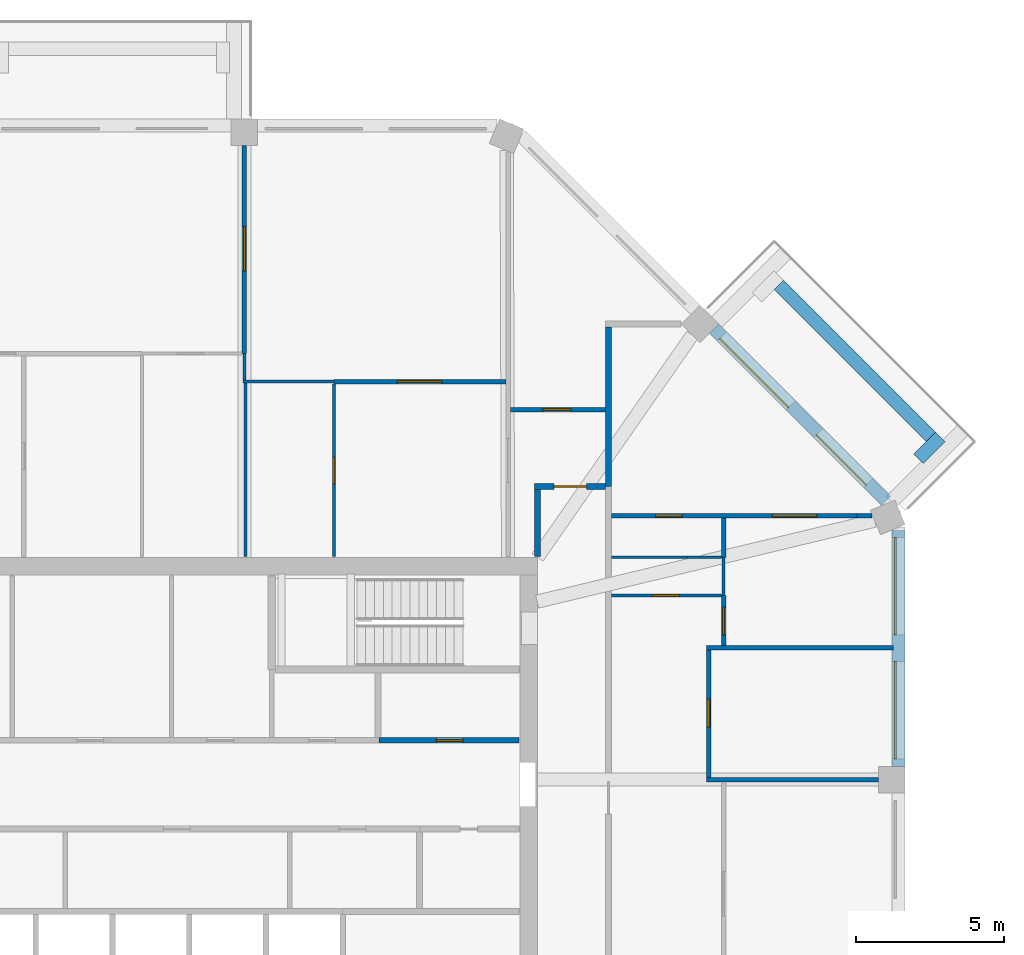
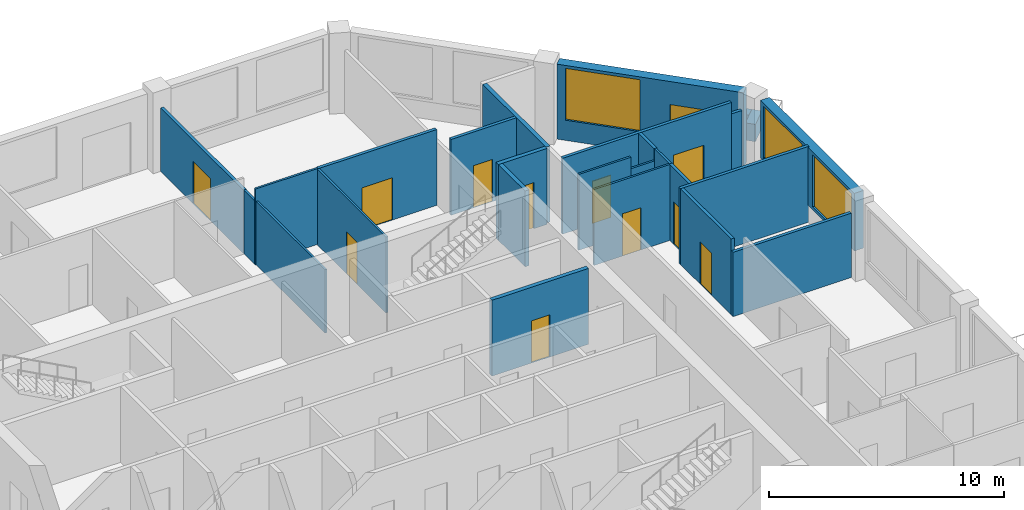
# One storey, part 9 of 11: 26 walls, 12 doors, 3 windows, 15 openings.
"""IFC4 building model written with IfcOpenShell, lengths in metres."""

from ifc_helpers import new_model, si_unit, direction, frame, frame_2d, origin, place, context, subcontext, project, spatial, rectangle, extrude, material, layer, layer_set, type_object, element, fill, save


model = new_model("IFC4")

# Units and contexts
model_context = context("Model", 3, precision=1e-05, world=origin(), true_north=direction((0.0, 1.0)))
body_context = subcontext(model_context, "Body", "Model", "MODEL_VIEW")
ifc_project = project(units=[si_unit("LENGTHUNIT", "METRE"), si_unit("AREAUNIT", "SQUARE_METRE"), si_unit("VOLUMEUNIT", "CUBIC_METRE"), si_unit("PLANEANGLEUNIT", "RADIAN"), si_unit("MASSUNIT", "GRAM", prefix="KILO")], contexts=[model_context])

# Site, building, storey
site_placement = place(None, origin())
site = spatial("IfcSite", under=ifc_project, at=site_placement, CompositionType="ELEMENT")
building_placement = place(site_placement, origin())
building = spatial("IfcBuilding", under=site, at=building_placement, Name="Msitu Wima Residences", CompositionType="ELEMENT")
storey_placement = place(building_placement, frame((0.0, 0.0, 293.699951171875)))
storey = spatial("IfcBuildingStorey", under=building, at=storey_placement, Name="L68", CompositionType="ELEMENT", Elevation=293.699951171875)

# Walls
ifc_material_1 = material(Name="Facing brick")
ifc_layer_1 = layer(ifc_material_1, 0.06494140625, Name="Facing brick")
ifc_material_2 = material(Name="Concrete C40/50", Category="concrete")
ifc_layer_2 = layer(ifc_material_2, 0.156005859375, Name="Concrete C40/50")
ifc_material_3 = material(Name="Waterproofing membrane")
ifc_layer_3 = layer(ifc_material_3, 0.00390625, Name="Waterproofing membrane")
ifc_material_4 = material(Name="Planting soil and planting")
ifc_layer_4 = layer(ifc_material_4, 0.22509765625, Name="Planting soil and planting")
ifc_layer_set_1 = layer_set([ifc_layer_1, ifc_layer_2, ifc_layer_3, ifc_layer_4], Name="Concrete C40/50")
wall_type_1 = type_object("IfcWallType", Name="Balcony planter PLANTER PL450", PredefinedType="USERDEFINED", material=ifc_layer_set_1)
wall_1_placement = place(storey_placement, frame((27.725830078125, 16.0751953125, 0.0), z_axis=(0.0, 0.0, 1.0), x_axis=(-0.707106781187, 0.707106781187, 0.0)))
element("IfcWall", 1, at=wall_1_placement, inside=storey, type_object=wall_type_1, Name="Balcony planter NE0 L68", ObjectType="PLANTER", PredefinedType="USERDEFINED", context=body_context, shape_type="SweptSolid", body=[
    extrude(rectangle(XDim=7.288330078125, YDim=0.449951171875, at=frame_2d((3.64404296875, 0.0))), origin(), (0.0, 0.0, 1.0), 0.900146484375),
])
wall_2_placement = place(storey_placement, frame((27.301513671875, 15.332763671875, 0.0), z_axis=(0.0, 0.0, 1.0), x_axis=(0.707106781187, 0.707106781187, 0.0)))
element("IfcWall", 2, at=wall_2_placement, inside=storey, type_object=wall_type_1, Name="Balcony planter NE0 L68", ObjectType="PLANTER", PredefinedType="USERDEFINED", context=body_context, shape_type="SweptSolid", body=[
    extrude(rectangle(XDim=1.050048828125, YDim=0.449951171875, at=frame_2d((0.52490234375, 0.0))), origin(), (0.0, 0.0, 1.0), 0.900146484375),
])

# Wall, openings, windows
ifc_material_5 = material(Name="Brick (red buff mix)", Category="masonry")
ifc_layer_5 = layer(ifc_material_5, 0.449951171875)
ifc_layer_set_2 = layer_set([ifc_layer_5], Name="Brick (red buff mix)")
wall_type_2 = type_object("IfcWallType", Name="Brick infill wall BW450", PredefinedType="SOLIDWALL", material=ifc_layer_set_2)
wall_3_placement = place(storey_placement, frame((26.625, 4.918701171875, 0.900146484375), z_axis=(0.0, 0.0, 1.0), x_axis=(0.0, 1.0, 0.0)))
wall_3 = element("IfcWall", 3, at=wall_3_placement, inside=storey, type_object=wall_type_2, Name="Brick infill wall L68 E2", PredefinedType="SOLIDWALL", context=body_context, shape_type="SweptSolid", body=[
    extrude(rectangle(XDim=8.0, YDim=0.449951171875, at=frame_2d((4.0, 0.0))), origin(), (0.0, 0.0, 1.0), 3.0),
])
opening_1_placement = place(wall_3_placement, frame((0.25, 0.0, 0.14990234375)))
opening_1 = element("IfcOpeningElement", 4, at=opening_1_placement, cuts=wall_3, Name="Opening W68-70.004", PredefinedType="OPENING", context=body_context, shape_type="SweptSolid", body=[
    extrude(rectangle(XDim=3.300048828125, YDim=2.699951171875, at=frame_2d((1.64990234375, 1.35009765625))), frame((0.0, 0.23486328125, 0.0), z_axis=(0.0, -1.0, 0.0), x_axis=(1.0, 0.0, 0.0)), (0.0, 0.0, 1.0), 0.469970703125),
])
opening_2_placement = place(wall_3_placement, frame((4.4501953125, 0.0, 0.14990234375)))
opening_2 = element("IfcOpeningElement", 5, at=opening_2_placement, cuts=wall_3, Name="Opening W68-70.005", PredefinedType="OPENING", context=body_context, shape_type="SweptSolid", body=[
    extrude(rectangle(XDim=3.300048828125, YDim=2.699951171875, at=frame_2d((1.64990234375, 1.35009765625))), frame((0.0, 0.23486328125, 0.0), z_axis=(0.0, -1.0, 0.0), x_axis=(1.0, 0.0, 0.0)), (0.0, 0.0, 1.0), 0.469970703125),
])
ifc_material_6 = material(Name="Anodised aluminium, bronze finish, clear low-emissivity double glazing", Category="aluminium")
window_type = type_object("IfcWindowType", Name="Window W3300x2700", PartitioningType="DOUBLE_PANEL_VERTICAL", PredefinedType="WINDOW", material=ifc_material_6)
window_1_placement = place(opening_1_placement, origin())
window_1 = element("IfcWindow", 6, at=window_1_placement, inside=storey, type_object=window_type, Name="Window L68 E2.1", OverallHeight=2.699951171875, OverallWidth=3.300048828125, PartitioningType="SINGLE_PANEL", PredefinedType="WINDOW", context=body_context, shape_type="SweptSolid", body=[
    extrude(rectangle(XDim=3.300048828125, YDim=2.699951171875, at=frame_2d((1.64990234375, 1.35009765625))), frame((0.0, 0.135009765625, 0.0), z_axis=(0.0, -1.0, 0.0), x_axis=(1.0, 0.0, 0.0)), (0.0, 0.0, 1.0), 0.06005859375),
])
fill(opening_1, window_1)
window_2_placement = place(opening_2_placement, origin())
window_2 = element("IfcWindow", 7, at=window_2_placement, inside=storey, type_object=window_type, Name="Window L68 E2.2", OverallHeight=2.699951171875, OverallWidth=3.300048828125, PartitioningType="SINGLE_PANEL", PredefinedType="WINDOW", context=body_context, shape_type="SweptSolid", body=[
    extrude(rectangle(XDim=3.300048828125, YDim=2.699951171875, at=frame_2d((1.64990234375, 1.35009765625))), frame((0.0, 0.135009765625, 0.0), z_axis=(0.0, -1.0, 0.0), x_axis=(1.0, 0.0, 0.0)), (0.0, 0.0, 1.0), 0.06005859375),
])
fill(opening_2, window_2)

# Wall, openings, door, window
wall_4_placement = place(storey_placement, frame((26.214599609375, 13.909423828125, 0.0), z_axis=(0.0, 0.0, 1.0), x_axis=(-0.707106781187, 0.707106781187, 0.0)))
wall_4 = element("IfcWall", 8, at=wall_4_placement, inside=storey, type_object=wall_type_2, Name="Brick infill wall L68 NE0", PredefinedType="SOLIDWALL", context=body_context, shape_type="SweptSolid", body=[
    extrude(rectangle(XDim=8.251220703125, YDim=0.449951171875, at=frame_2d((4.12548828125, 0.0))), origin(), (0.0, 0.0, 1.0), 3.900146484375),
])
opening_3_placement = place(wall_4_placement, frame((0.86279296875, 0.0, 0.0)))
opening_3 = element("IfcOpeningElement", 9, at=opening_3_placement, cuts=wall_4, Name="Opening D68-70.003", PredefinedType="OPENING", context=body_context, shape_type="SweptSolid", body=[
    extrude(rectangle(XDim=2.39990234375, YDim=2.699951171875, at=frame_2d((1.199951171875, 1.35009765625))), frame((0.0, 0.23486328125, 0.0), z_axis=(0.0, -1.0, 0.0), x_axis=(1.0, 0.0, 0.0)), (0.0, 0.0, 1.0), 0.469970703125),
])
opening_4_placement = place(wall_4_placement, frame((4.57568359375, 0.0, 1.050048828125)))
opening_4 = element("IfcOpeningElement", 10, at=opening_4_placement, cuts=wall_4, Name="Opening W68-70.011", PredefinedType="OPENING", context=body_context, shape_type="SweptSolid", body=[
    extrude(rectangle(XDim=3.300048828125, YDim=2.699951171875, at=frame_2d((1.64990234375, 1.35009765625))), frame((0.0, 0.23486328125, 0.0), z_axis=(0.0, -1.0, 0.0), x_axis=(1.0, 0.0, 0.0)), (0.0, 0.0, 1.0), 0.469970703125),
])
door_type_1 = type_object("IfcDoorType", Name="Balcony door D2400x2700", OperationType="SLIDING_TO_LEFT", PredefinedType="DOOR", material=ifc_material_6)
door_1_placement = place(opening_3_placement, origin())
door_1 = element("IfcDoor", 11, at=door_1_placement, inside=storey, type_object=door_type_1, Name="Balcony door L68 NE0", OperationType="SINGLE_SWING_LEFT", OverallHeight=2.699951171875, OverallWidth=2.39990234375, PredefinedType="DOOR", context=body_context, shape_type="SweptSolid", body=[
    extrude(rectangle(XDim=2.39990234375, YDim=2.699951171875, at=frame_2d((1.199951171875, 1.35009765625))), frame((0.0, 0.1298828125, 0.0), z_axis=(0.0, -1.0, 0.0), x_axis=(1.0, 0.0, 0.0)), (0.0, 0.0, 1.0), 0.050048828125),
])
fill(opening_3, door_1)
window_3_placement = place(opening_4_placement, origin())
window_3 = element("IfcWindow", 12, at=window_3_placement, inside=storey, type_object=window_type, Name="Window L68 NE0.2", OverallHeight=2.699951171875, OverallWidth=3.300048828125, PartitioningType="SINGLE_PANEL", PredefinedType="WINDOW", context=body_context, shape_type="SweptSolid", body=[
    extrude(rectangle(XDim=3.300048828125, YDim=2.699951171875, at=frame_2d((1.64990234375, 1.35009765625))), frame((0.0, 0.135009765625, 0.0), z_axis=(0.0, -1.0, 0.0), x_axis=(1.0, 0.0, 0.0)), (0.0, 0.0, 1.0), 0.06005859375),
])
fill(opening_4, window_3)

# Wall
ifc_material_7 = material(Name="Plaster")
ifc_layer_6 = layer(ifc_material_7, 0.011962890625, Name="Plaster")
ifc_material_8 = material(Name="Concrete blockwork", Category="masonry")
ifc_layer_7 = layer(ifc_material_8, 0.176025390625, Name="Concrete blockwork")
ifc_layer_8 = layer(ifc_material_7, 0.011962890625, Name="Plaster")
ifc_layer_set_3 = layer_set([ifc_layer_6, ifc_layer_7, ifc_layer_8], Name="Concrete blockwork")
wall_type_3 = type_object("IfcWallType", Name="Corridor wall FW200", PredefinedType="PARTITIONING", material=ifc_layer_set_3)
wall_5_placement = place(storey_placement, frame((14.39990234375, 12.030029296875, 0.0), z_axis=(0.0, 0.0, 1.0), x_axis=(0.0, 1.0, 0.0)))
element("IfcWall", 13, at=wall_5_placement, inside=storey, type_object=wall_type_3, Name="Corridor wall", PredefinedType="PARTITIONING", context=body_context, shape_type="SweptSolid", body=[
    extrude(rectangle(XDim=2.27001953125, YDim=0.199951171875, at=frame_2d((1.135009765625, 0.0))), origin(), (0.0, 0.0, 1.0), 3.949951171875),
])

# Wall, opening, door
wall_6_placement = place(storey_placement, frame((14.300048828125, 14.39990234375, 0.0), z_axis=(0.0, 0.0, 1.0), x_axis=(1.0, 0.0, 0.0)))
wall_6 = element("IfcWall", 14, at=wall_6_placement, inside=storey, type_object=wall_type_3, Name="Corridor wall", PredefinedType="PARTITIONING", context=body_context, shape_type="SweptSolid", body=[
    extrude(rectangle(XDim=2.39990234375, YDim=0.199951171875, at=frame_2d((1.199951171875, 0.0))), origin(), (0.0, 0.0, 1.0), 3.949951171875),
])
opening_5_placement = place(wall_6_placement, frame((0.64990234375, 0.0, 0.0)))
opening_5 = element("IfcOpeningElement", 15, at=opening_5_placement, cuts=wall_6, Name="Opening D68-70.021", PredefinedType="OPENING", context=body_context, shape_type="SweptSolid", body=[
    extrude(rectangle(XDim=1.10009765625, YDim=2.39990234375, at=frame_2d((0.550048828125, 1.199951171875))), frame((0.0, 0.10986328125, 0.0), z_axis=(0.0, -1.0, 0.0), x_axis=(1.0, 0.0, 0.0)), (0.0, 0.0, 1.0), 0.219970703125),
])
ifc_material_9 = material(Name="Timber flush door, fire resisting, self-closing", Category="wood")
door_type_2 = type_object("IfcDoorType", Name="Flat entrance door D01 1100x2400", OperationType="SINGLE_SWING_LEFT", PredefinedType="DOOR", material=ifc_material_9)
door_2_placement = place(opening_5_placement, origin())
door_2 = element("IfcDoor", 16, at=door_2_placement, inside=storey, type_object=door_type_2, Name="Flat entrance door", OperationType="SINGLE_SWING_RIGHT", OverallHeight=2.39990234375, OverallWidth=1.10009765625, PredefinedType="DOOR", context=body_context, shape_type="SweptSolid", body=[
    extrude(rectangle(XDim=1.10009765625, YDim=2.39990234375, at=frame_2d((0.550048828125, 1.199951171875))), frame((0.0, 0.02490234375, 0.0), z_axis=(0.0, -1.0, 0.0), x_axis=(1.0, 0.0, 0.0)), (0.0, 0.0, 1.0), 0.050048828125),
])
fill(opening_5, door_2)

ifc_layer_9 = layer(ifc_material_7, 0.011962890625, Name="Plaster")
ifc_layer_10 = layer(ifc_material_8, 0.1259765625, Name="Concrete blockwork")
ifc_layer_11 = layer(ifc_material_7, 0.011962890625, Name="Plaster")
ifc_layer_set_4 = layer_set([ifc_layer_9, ifc_layer_10, ifc_layer_11], Name="Concrete blockwork")
wall_type_4 = type_object("IfcWallType", Name="Partition PW150", PredefinedType="PARTITIONING", material=ifc_layer_set_4)
wall_7_placement = place(storey_placement, frame((4.46875, 18.89990234375, 0.0), z_axis=(0.0, 0.0, 1.0), x_axis=(0.0, 1.0, 0.0)))
wall_7 = element("IfcWall", 17, at=wall_7_placement, inside=storey, type_object=wall_type_4, Name="Partition", PredefinedType="PARTITIONING", context=body_context, shape_type="SweptSolid", body=[
    extrude(rectangle(XDim=7.050048828125, YDim=0.14990234375, at=frame_2d((3.52490234375, 0.0))), origin(), (0.0, 0.0, 1.0), 3.300048828125),
])
opening_6_placement = place(wall_7_placement, frame((2.800048828125, 0.0, 0.0)))
opening_6 = element("IfcOpeningElement", 18, at=opening_6_placement, cuts=wall_7, Name="Opening D68-70.029", PredefinedType="OPENING", context=body_context, shape_type="SweptSolid", body=[
    extrude(rectangle(XDim=1.5, YDim=2.199951171875, at=frame_2d((0.75, 1.10009765625))), frame((0.0, 0.0849609375, 0.0), z_axis=(0.0, -1.0, 0.0), x_axis=(1.0, 0.0, 0.0)), (0.0, 0.0, 1.0), 0.169921875),
])
ifc_material_10 = material(Name="Timber double door", Category="wood")
door_type_3 = type_object("IfcDoorType", Name="Double door D04 1500x2200", OperationType="DOUBLE_DOOR_SINGLE_SWING", PredefinedType="DOOR", material=ifc_material_10)
door_3_placement = place(opening_6_placement, origin())
door_3 = element("IfcDoor", 19, at=door_3_placement, inside=storey, type_object=door_type_3, Name="Double door", OperationType="DOUBLE_DOOR_SINGLE_SWING", OverallHeight=2.199951171875, OverallWidth=1.5, PredefinedType="DOOR", context=body_context, shape_type="SweptSolid", body=[
    extrude(rectangle(XDim=1.5, YDim=2.199951171875, at=frame_2d((0.75, 1.10009765625))), frame((0.0, 0.02490234375, 0.0), z_axis=(0.0, -1.0, 0.0), x_axis=(1.0, 0.0, 0.0)), (0.0, 0.0, 1.0), 0.050048828125),
])
fill(opening_6, door_3)

wall_8_placement = place(storey_placement, frame((7.5, 17.949951171875, 0.0), z_axis=(0.0, 0.0, 1.0), x_axis=(1.0, 0.0, 0.0)))
wall_8 = element("IfcWall", 20, at=wall_8_placement, inside=storey, type_object=wall_type_4, Name="Partition", PredefinedType="PARTITIONING", context=body_context, shape_type="SweptSolid", body=[
    extrude(rectangle(XDim=5.830810546875, YDim=0.14990234375, at=frame_2d((2.91552734375, 0.0))), origin(), (0.0, 0.0, 1.0), 3.949951171875),
])
opening_7_placement = place(wall_8_placement, frame((2.14990234375, 0.0, 0.0)))
opening_7 = element("IfcOpeningElement", 21, at=opening_7_placement, cuts=wall_8, Name="Opening D68-70.026", PredefinedType="OPENING", context=body_context, shape_type="SweptSolid", body=[
    extrude(rectangle(XDim=1.5, YDim=2.199951171875, at=frame_2d((0.75, 1.10009765625))), frame((0.0, 0.0849609375, 0.0), z_axis=(0.0, -1.0, 0.0), x_axis=(1.0, 0.0, 0.0)), (0.0, 0.0, 1.0), 0.169921875),
])
door_4_placement = place(opening_7_placement, origin())
door_4 = element("IfcDoor", 22, at=door_4_placement, inside=storey, type_object=door_type_3, Name="Double door", OperationType="DOUBLE_DOOR_SINGLE_SWING", OverallHeight=2.199951171875, OverallWidth=1.5, PredefinedType="DOOR", context=body_context, shape_type="SweptSolid", body=[
    extrude(rectangle(XDim=1.5, YDim=2.199951171875, at=frame_2d((0.75, 1.10009765625))), frame((0.0, 0.02490234375, 0.0), z_axis=(0.0, -1.0, 0.0), x_axis=(1.0, 0.0, 0.0)), (0.0, 0.0, 1.0), 0.050048828125),
])
fill(opening_7, door_4)

wall_9_placement = place(storey_placement, frame((13.48095703125, 17.0, 0.0), z_axis=(0.0, 0.0, 1.0), x_axis=(1.0, 0.0, 0.0)))
wall_9 = element("IfcWall", 23, at=wall_9_placement, inside=storey, type_object=wall_type_4, Name="Partition", PredefinedType="PARTITIONING", context=body_context, shape_type="SweptSolid", body=[
    extrude(rectangle(XDim=3.218994140625, YDim=0.14990234375, at=frame_2d((1.609375, 0.0))), origin(), (0.0, 0.0, 1.0), 3.949951171875),
])
opening_8_placement = place(wall_9_placement, frame((1.10009765625, 0.0, 0.0)))
opening_8 = element("IfcOpeningElement", 24, at=opening_8_placement, cuts=wall_9, Name="Opening D68-70.027", PredefinedType="OPENING", context=body_context, shape_type="SweptSolid", body=[
    extrude(rectangle(XDim=0.949951171875, YDim=2.199951171875, at=frame_2d((0.47509765625, 1.10009765625))), frame((0.0, 0.0849609375, 0.0), z_axis=(0.0, -1.0, 0.0), x_axis=(1.0, 0.0, 0.0)), (0.0, 0.0, 1.0), 0.169921875),
])
ifc_material_11 = material(Name="Timber flush door", Category="wood")
door_type_4 = type_object("IfcDoorType", Name="Room door D12 950x2200", OperationType="SINGLE_SWING_LEFT", PredefinedType="DOOR", material=ifc_material_11)
door_5_placement = place(opening_8_placement, origin())
door_5 = element("IfcDoor", 25, at=door_5_placement, inside=storey, type_object=door_type_4, Name="Room door", OperationType="SINGLE_SWING_LEFT", OverallHeight=2.199951171875, OverallWidth=0.949951171875, PredefinedType="DOOR", context=body_context, shape_type="SweptSolid", body=[
    extrude(rectangle(XDim=0.949951171875, YDim=2.199951171875, at=frame_2d((0.47509765625, 1.10009765625))), frame((0.0, 0.02490234375, 0.0), z_axis=(0.0, -1.0, 0.0), x_axis=(1.0, 0.0, 0.0)), (0.0, 0.0, 1.0), 0.050048828125),
])
fill(opening_8, door_5)

# Wall, openings, doors
wall_10_placement = place(storey_placement, frame((16.89990234375, 13.406005859375, 0.0), z_axis=(0.0, 0.0, 1.0), x_axis=(1.0, 0.0, 0.0)))
wall_10 = element("IfcWall", 26, at=wall_10_placement, inside=storey, type_object=wall_type_4, Name="Partition", PredefinedType="PARTITIONING", context=body_context, shape_type="SweptSolid", body=[
    extrude(rectangle(XDim=8.32421875, YDim=0.14990234375, at=frame_2d((4.162109375, 0.0))), origin(), (0.0, 0.0, 1.0), 3.949951171875),
])
opening_9_placement = place(wall_10_placement, frame((5.449951171875, 0.0, 0.0)))
opening_9 = element("IfcOpeningElement", 27, at=opening_9_placement, cuts=wall_10, Name="Opening D68-70.017", PredefinedType="OPENING", context=body_context, shape_type="SweptSolid", body=[
    extrude(rectangle(XDim=1.5, YDim=2.199951171875, at=frame_2d((0.75, 1.10009765625))), frame((0.0, 0.0849609375, 0.0), z_axis=(0.0, -1.0, 0.0), x_axis=(1.0, 0.0, 0.0)), (0.0, 0.0, 1.0), 0.169921875),
])
opening_10_placement = place(wall_10_placement, frame((1.5, 0.0, 0.0)))
opening_10 = element("IfcOpeningElement", 28, at=opening_10_placement, cuts=wall_10, Name="Opening D68-70.019", PredefinedType="OPENING", context=body_context, shape_type="SweptSolid", body=[
    extrude(rectangle(XDim=0.89990234375, YDim=2.199951171875, at=frame_2d((0.449951171875, 1.10009765625))), frame((0.0, 0.0849609375, 0.0), z_axis=(0.0, -1.0, 0.0), x_axis=(1.0, 0.0, 0.0)), (0.0, 0.0, 1.0), 0.169921875),
])
door_6_placement = place(opening_9_placement, origin())
door_6 = element("IfcDoor", 29, at=door_6_placement, inside=storey, type_object=door_type_3, Name="Double door", OperationType="DOUBLE_DOOR_SINGLE_SWING", OverallHeight=2.199951171875, OverallWidth=1.5, PredefinedType="DOOR", context=body_context, shape_type="SweptSolid", body=[
    extrude(rectangle(XDim=1.5, YDim=2.199951171875, at=frame_2d((0.75, 1.10009765625))), frame((0.0, 0.02490234375, 0.0), z_axis=(0.0, -1.0, 0.0), x_axis=(1.0, 0.0, 0.0)), (0.0, 0.0, 1.0), 0.050048828125),
])
fill(opening_9, door_6)
door_type_5 = type_object("IfcDoorType", Name="Service door D05 900x2200", OperationType="SINGLE_SWING_LEFT", PredefinedType="DOOR", material=ifc_material_11)
door_7_placement = place(opening_10_placement, origin())
door_7 = element("IfcDoor", 30, at=door_7_placement, inside=storey, type_object=door_type_5, Name="Service door", OperationType="SINGLE_SWING_LEFT", OverallHeight=2.199951171875, OverallWidth=0.89990234375, PredefinedType="DOOR", context=body_context, shape_type="SweptSolid", body=[
    extrude(rectangle(XDim=0.89990234375, YDim=2.199951171875, at=frame_2d((0.449951171875, 1.10009765625))), frame((0.0, 0.02490234375, 0.0), z_axis=(0.0, -1.0, 0.0), x_axis=(1.0, 0.0, 0.0)), (0.0, 0.0, 1.0), 0.050048828125),
])
fill(opening_10, door_7)

# Wall
wall_11_placement = place(storey_placement, frame((25.22412109375, 13.406005859375, 0.0), z_axis=(0.0, 0.0, 1.0), x_axis=(1.0, 0.0, 0.0)))
element("IfcWall", 31, at=wall_11_placement, inside=storey, type_object=wall_type_4, Name="Partition", PredefinedType="PARTITIONING", context=body_context, shape_type="SweptSolid", body=[
    extrude(rectangle(XDim=0.507080078125, YDim=0.14990234375, at=frame_2d((0.25341796875, 0.0))), origin(), (0.0, 0.0, 1.0), 3.35009765625),
])

# Wall, opening, door
wall_12_placement = place(storey_placement, frame((20.199951171875, 4.543701171875, 0.0), z_axis=(0.0, 0.0, 1.0), x_axis=(0.0, 1.0, 0.0)))
wall_12 = element("IfcWall", 32, at=wall_12_placement, inside=storey, type_object=wall_type_4, Name="Partition", PredefinedType="PARTITIONING", context=body_context, shape_type="SweptSolid", body=[
    extrude(rectangle(XDim=4.318603515625, YDim=0.14990234375, at=frame_2d((2.1591796875, 0.0))), origin(), (0.0, 0.0, 1.0), 3.949951171875),
])
opening_11_placement = place(wall_12_placement, frame((1.699951171875, 0.0, 0.0)))
opening_11 = element("IfcOpeningElement", 33, at=opening_11_placement, cuts=wall_12, Name="Opening D68-70.015", PredefinedType="OPENING", context=body_context, shape_type="SweptSolid", body=[
    extrude(rectangle(XDim=0.949951171875, YDim=2.199951171875, at=frame_2d((0.47509765625, 1.10009765625))), frame((0.0, 0.0849609375, 0.0), z_axis=(0.0, -1.0, 0.0), x_axis=(1.0, 0.0, 0.0)), (0.0, 0.0, 1.0), 0.169921875),
])
door_8_placement = place(opening_11_placement, origin())
door_8 = element("IfcDoor", 34, at=door_8_placement, inside=storey, type_object=door_type_4, Name="Room door", OperationType="SINGLE_SWING_LEFT", OverallHeight=2.199951171875, OverallWidth=0.949951171875, PredefinedType="DOOR", context=body_context, shape_type="SweptSolid", body=[
    extrude(rectangle(XDim=0.949951171875, YDim=2.199951171875, at=frame_2d((0.47509765625, 1.10009765625))), frame((0.0, 0.02490234375, 0.0), z_axis=(0.0, -1.0, 0.0), x_axis=(1.0, 0.0, 0.0)), (0.0, 0.0, 1.0), 0.050048828125),
])
fill(opening_11, door_8)

# Walls
wall_13_placement = place(storey_placement, frame((20.125, 4.46875, 0.0), z_axis=(0.0, 0.0, 1.0), x_axis=(1.0, 0.0, 0.0)))
element("IfcWall", 35, at=wall_13_placement, inside=storey, type_object=wall_type_4, Name="Partition", PredefinedType="PARTITIONING", context=body_context, shape_type="SweptSolid", body=[
    extrude(rectangle(XDim=5.824951171875, YDim=0.14990234375, at=frame_2d((2.91259765625, 0.0))), origin(), (0.0, 0.0, 1.0), 3.35009765625),
])
wall_14_placement = place(storey_placement, frame((20.125, 8.937255859375, 0.0), z_axis=(0.0, 0.0, 1.0), x_axis=(1.0, 0.0, 0.0)))
element("IfcWall", 36, at=wall_14_placement, inside=storey, type_object=wall_type_4, Name="Partition", PredefinedType="PARTITIONING", context=body_context, shape_type="SweptSolid", body=[
    extrude(rectangle(XDim=6.330078125, YDim=0.14990234375, at=frame_2d((3.1650390625, 0.0))), origin(), (0.0, 0.0, 1.0), 3.949951171875),
])

# Wall, opening, door
wall_15_placement = place(storey_placement, frame((20.699951171875, 9.01220703125, 0.0), z_axis=(0.0, 0.0, 1.0), x_axis=(0.0, 1.0, 0.0)))
wall_15 = element("IfcWall", 37, at=wall_15_placement, inside=storey, type_object=wall_type_4, Name="Partition", PredefinedType="PARTITIONING", context=body_context, shape_type="SweptSolid", body=[
    extrude(rectangle(XDim=1.687744140625, YDim=0.14990234375, at=frame_2d((0.84375, 0.0))), origin(), (0.0, 0.0, 1.0), 3.949951171875),
])
opening_12_placement = place(wall_15_placement, frame((0.35009765625, 0.0, 0.0)))
opening_12 = element("IfcOpeningElement", 38, at=opening_12_placement, cuts=wall_15, Name="Opening D68-70.016", PredefinedType="OPENING", context=body_context, shape_type="SweptSolid", body=[
    extrude(rectangle(XDim=0.949951171875, YDim=2.199951171875, at=frame_2d((0.47509765625, 1.10009765625))), frame((0.0, 0.0849609375, 0.0), z_axis=(0.0, -1.0, 0.0), x_axis=(1.0, 0.0, 0.0)), (0.0, 0.0, 1.0), 0.169921875),
])
door_9_placement = place(opening_12_placement, origin())
door_9 = element("IfcDoor", 39, at=door_9_placement, inside=storey, type_object=door_type_4, Name="Room door", OperationType="SINGLE_SWING_RIGHT", OverallHeight=2.199951171875, OverallWidth=0.949951171875, PredefinedType="DOOR", context=body_context, shape_type="SweptSolid", body=[
    extrude(rectangle(XDim=0.949951171875, YDim=2.199951171875, at=frame_2d((0.47509765625, 1.10009765625))), frame((0.0, 0.02490234375, 0.0), z_axis=(0.0, -1.0, 0.0), x_axis=(1.0, 0.0, 0.0)), (0.0, 0.0, 1.0), 0.050048828125),
])
fill(opening_12, door_9)

# Walls
wall_16_placement = place(storey_placement, frame((20.699951171875, 12.0, 0.0), z_axis=(0.0, 0.0, 1.0), x_axis=(0.0, 1.0, 0.0)))
element("IfcWall", 40, at=wall_16_placement, inside=storey, type_object=wall_type_4, Name="Partition", PredefinedType="PARTITIONING", context=body_context, shape_type="SweptSolid", body=[
    extrude(rectangle(XDim=1.330810546875, YDim=0.14990234375, at=frame_2d((0.66552734375, 0.0))), origin(), (0.0, 0.0, 1.0), 3.949951171875),
])
ifc_layer_12 = layer(ifc_material_7, 0.011962890625, Name="Plaster")
ifc_material_12 = material(Name="Dense concrete blockwork", Category="masonry")
ifc_layer_13 = layer(ifc_material_12, 0.176025390625, Name="Dense concrete blockwork")
ifc_layer_14 = layer(ifc_material_7, 0.011962890625, Name="Plaster")
ifc_layer_set_5 = layer_set([ifc_layer_12, ifc_layer_13, ifc_layer_14], Name="Dense concrete blockwork")
wall_type_5 = type_object("IfcWallType", Name="Party wall PW200", PredefinedType="PARTITIONING", material=ifc_layer_set_5)
wall_17_placement = place(storey_placement, frame((16.800048828125, 14.39990234375, 0.0), z_axis=(0.0, 0.0, 1.0), x_axis=(0.0, 1.0, 0.0)))
element("IfcWall", 41, at=wall_17_placement, inside=storey, type_object=wall_type_5, Name="Party wall", PredefinedType="PARTITIONING", context=body_context, shape_type="SweptSolid", body=[
    extrude(rectangle(XDim=5.403076171875, YDim=0.199951171875, at=frame_2d((2.70166015625, 0.0))), origin(), (0.0, 0.0, 1.0), 3.949951171875),
])

# Wall, opening, door
ifc_layer_15 = layer(ifc_material_7, 0.011962890625, Name="Plaster")
ifc_material_13 = material(Name="Reinforced concrete blockwork", Category="masonry")
ifc_layer_16 = layer(ifc_material_13, 0.176025390625, Name="Reinforced concrete blockwork")
ifc_layer_17 = layer(ifc_material_7, 0.011962890625, Name="Plaster")
ifc_layer_set_6 = layer_set([ifc_layer_15, ifc_layer_16, ifc_layer_17], Name="Reinforced concrete blockwork")
wall_type_6 = type_object("IfcWallType", Name="Plant and riser wall PL200", PredefinedType="PARTITIONING", material=ifc_layer_set_6)
wall_18_placement = place(storey_placement, frame((9.02001953125, 5.800048828125, 0.0), z_axis=(0.0, 0.0, 1.0), x_axis=(1.0, 0.0, 0.0)))
wall_18 = element("IfcWall", 42, at=wall_18_placement, inside=storey, type_object=wall_type_6, Name="Plant and riser wall", PredefinedType="PARTITIONING", context=body_context, shape_type="SweptSolid", body=[
    extrude(rectangle(XDim=4.75, YDim=0.199951171875, at=frame_2d((2.375, 0.0))), origin(), (0.0, 0.0, 1.0), 3.949951171875),
])
opening_13_placement = place(wall_18_placement, frame((1.949951171875, 0.0, 0.0)))
opening_13 = element("IfcOpeningElement", 43, at=opening_13_placement, cuts=wall_18, Name="Opening D68-70.066", PredefinedType="OPENING", context=body_context, shape_type="SweptSolid", body=[
    extrude(rectangle(XDim=0.89990234375, YDim=2.199951171875, at=frame_2d((0.449951171875, 1.10009765625))), frame((0.0, 0.10986328125, 0.0), z_axis=(0.0, -1.0, 0.0), x_axis=(1.0, 0.0, 0.0)), (0.0, 0.0, 1.0), 0.219970703125),
])
door_10_placement = place(opening_13_placement, origin())
door_10 = element("IfcDoor", 44, at=door_10_placement, inside=storey, type_object=door_type_5, Name="Service door", OperationType="SINGLE_SWING_LEFT", OverallHeight=2.199951171875, OverallWidth=0.89990234375, PredefinedType="DOOR", context=body_context, shape_type="SweptSolid", body=[
    extrude(rectangle(XDim=0.89990234375, YDim=2.199951171875, at=frame_2d((0.449951171875, 1.10009765625))), frame((0.0, 0.02490234375, 0.0), z_axis=(0.0, -1.0, 0.0), x_axis=(1.0, 0.0, 0.0)), (0.0, 0.0, 1.0), 0.050048828125),
])
fill(opening_13, door_10)

# Walls
ifc_material_14 = material(Name="Ceramic tiles")
ifc_layer_18 = layer(ifc_material_14, 0.008056640625, Name="Ceramic tiles")
ifc_material_15 = material(Name="Moisture-resistant board")
ifc_layer_19 = layer(ifc_material_15, 0.012451171875, Name="Moisture-resistant board")
ifc_material_16 = material(Name="Light-gauge stud framing with mineral wool")
ifc_layer_20 = layer(ifc_material_16, 0.06689453125, Name="Light-gauge stud framing with mineral wool")
ifc_layer_21 = layer(ifc_material_15, 0.012451171875, Name="Moisture-resistant board")
ifc_layer_set_7 = layer_set([ifc_layer_18, ifc_layer_19, ifc_layer_20, ifc_layer_21], Name="Light-gauge stud framing with mineral wool")
wall_type_7 = type_object("IfcWallType", Name="Wet wall PW100", PredefinedType="PARTITIONING", material=ifc_layer_set_7)
wall_19_placement = place(storey_placement, frame((4.46875, 18.0, 0.0), z_axis=(0.0, 0.0, 1.0), x_axis=(0.0, 1.0, 0.0)))
element("IfcWall", 45, at=wall_19_placement, inside=storey, type_object=wall_type_7, Name="Wet wall", PredefinedType="PARTITIONING", context=body_context, shape_type="SweptSolid", body=[
    extrude(rectangle(XDim=0.89990234375, YDim=0.10009765625, at=frame_2d((0.449951171875, 0.0))), origin(), (0.0, 0.0, 1.0), 3.300048828125),
])
wall_20_placement = place(storey_placement, frame((4.418701171875, 17.949951171875, 0.0), z_axis=(0.0, 0.0, 1.0), x_axis=(1.0, 0.0, 0.0)))
element("IfcWall", 46, at=wall_20_placement, inside=storey, type_object=wall_type_7, Name="Wet wall", PredefinedType="PARTITIONING", context=body_context, shape_type="SweptSolid", body=[
    extrude(rectangle(XDim=3.081298828125, YDim=0.10009765625, at=frame_2d((1.54052734375, 0.0))), origin(), (0.0, 0.0, 1.0), 3.949951171875),
])
wall_21_placement = place(storey_placement, frame((4.5, 12.030029296875, 0.0), z_axis=(0.0, 0.0, 1.0), x_axis=(0.0, 1.0, 0.0)))
element("IfcWall", 47, at=wall_21_placement, inside=storey, type_object=wall_type_7, Name="Wet wall", PredefinedType="PARTITIONING", context=body_context, shape_type="SweptSolid", body=[
    extrude(rectangle(XDim=5.869873046875, YDim=0.10009765625, at=frame_2d((2.93505859375, 0.0))), origin(), (0.0, 0.0, 1.0), 3.300048828125),
])

# Wall, opening, door
wall_22_placement = place(storey_placement, frame((7.5, 12.030029296875, 0.0), z_axis=(0.0, 0.0, 1.0), x_axis=(0.0, 1.0, 0.0)))
wall_22 = element("IfcWall", 48, at=wall_22_placement, inside=storey, type_object=wall_type_7, Name="Wet wall", PredefinedType="PARTITIONING", context=body_context, shape_type="SweptSolid", body=[
    extrude(rectangle(XDim=5.844970703125, YDim=0.10009765625, at=frame_2d((2.92236328125, 0.0))), origin(), (0.0, 0.0, 1.0), 3.949951171875),
])
opening_14_placement = place(wall_22_placement, frame((2.449951171875, 0.0, 0.0)))
opening_14 = element("IfcOpeningElement", 49, at=opening_14_placement, cuts=wall_22, Name="Opening D68-70.028", PredefinedType="OPENING", context=body_context, shape_type="SweptSolid", body=[
    extrude(rectangle(XDim=0.89990234375, YDim=2.199951171875, at=frame_2d((0.449951171875, 1.10009765625))), frame((0.0, 0.06005859375, 0.0), z_axis=(0.0, -1.0, 0.0), x_axis=(1.0, 0.0, 0.0)), (0.0, 0.0, 1.0), 0.1201171875),
])
ifc_material_17 = material(Name="Timber flush door, moisture resistant", Category="wood")
door_type_6 = type_object("IfcDoorType", Name="Bathroom door D03 900x2200", OperationType="SINGLE_SWING_LEFT", PredefinedType="DOOR", material=ifc_material_17)
door_11_placement = place(opening_14_placement, origin())
door_11 = element("IfcDoor", 50, at=door_11_placement, inside=storey, type_object=door_type_6, Name="Bathroom door", OperationType="SINGLE_SWING_LEFT", OverallHeight=2.199951171875, OverallWidth=0.89990234375, PredefinedType="DOOR", context=body_context, shape_type="SweptSolid", body=[
    extrude(rectangle(XDim=0.89990234375, YDim=2.199951171875, at=frame_2d((0.449951171875, 1.10009765625))), frame((0.0, 0.02490234375, 0.0), z_axis=(0.0, -1.0, 0.0), x_axis=(1.0, 0.0, 0.0)), (0.0, 0.0, 1.0), 0.050048828125),
])
fill(opening_14, door_11)

wall_23_placement = place(storey_placement, frame((16.89990234375, 10.699951171875, 0.0), z_axis=(0.0, 0.0, 1.0), x_axis=(1.0, 0.0, 0.0)))
wall_23 = element("IfcWall", 51, at=wall_23_placement, inside=storey, type_object=wall_type_7, Name="Wet wall", PredefinedType="PARTITIONING", context=body_context, shape_type="SweptSolid", body=[
    extrude(rectangle(XDim=3.72509765625, YDim=0.10009765625, at=frame_2d((1.862548828125, 0.0))), origin(), (0.0, 0.0, 1.0), 3.949951171875),
])
opening_15_placement = place(wall_23_placement, frame((1.39990234375, 0.0, 0.0)))
opening_15 = element("IfcOpeningElement", 52, at=opening_15_placement, cuts=wall_23, Name="Opening D68-70.013", PredefinedType="OPENING", context=body_context, shape_type="SweptSolid", body=[
    extrude(rectangle(XDim=0.89990234375, YDim=2.199951171875, at=frame_2d((0.449951171875, 1.10009765625))), frame((0.0, 0.06005859375, 0.0), z_axis=(0.0, -1.0, 0.0), x_axis=(1.0, 0.0, 0.0)), (0.0, 0.0, 1.0), 0.1201171875),
])
door_12_placement = place(opening_15_placement, origin())
door_12 = element("IfcDoor", 53, at=door_12_placement, inside=storey, type_object=door_type_6, Name="Bathroom door", OperationType="SINGLE_SWING_LEFT", OverallHeight=2.199951171875, OverallWidth=0.89990234375, PredefinedType="DOOR", context=body_context, shape_type="SweptSolid", body=[
    extrude(rectangle(XDim=0.89990234375, YDim=2.199951171875, at=frame_2d((0.449951171875, 1.10009765625))), frame((0.0, 0.02490234375, 0.0), z_axis=(0.0, -1.0, 0.0), x_axis=(1.0, 0.0, 0.0)), (0.0, 0.0, 1.0), 0.050048828125),
])
fill(opening_15, door_12)

# Walls
wall_24_placement = place(storey_placement, frame((16.89990234375, 12.0, 0.0), z_axis=(0.0, 0.0, 1.0), x_axis=(1.0, 0.0, 0.0)))
element("IfcWall", 54, at=wall_24_placement, inside=storey, type_object=wall_type_7, Name="Wet wall", PredefinedType="PARTITIONING", context=body_context, shape_type="SweptSolid", body=[
    extrude(rectangle(XDim=2.57421875, YDim=0.10009765625, at=frame_2d((1.287109375, 0.0))), origin(), (0.0, 0.0, 1.0), 3.949951171875),
])
wall_25_placement = place(storey_placement, frame((19.47412109375, 12.0, 0.0), z_axis=(0.0, 0.0, 1.0), x_axis=(1.0, 0.0, 0.0)))
element("IfcWall", 55, at=wall_25_placement, inside=storey, type_object=wall_type_7, Name="Wet wall", PredefinedType="PARTITIONING", context=body_context, shape_type="SweptSolid", body=[
    extrude(rectangle(XDim=1.15087890625, YDim=0.10009765625, at=frame_2d((0.575439453125, 0.0))), origin(), (0.0, 0.0, 1.0), 3.35009765625),
])
wall_26_placement = place(storey_placement, frame((20.699951171875, 10.699951171875, 0.0), z_axis=(0.0, 0.0, 1.0), x_axis=(0.0, 1.0, 0.0)))
element("IfcWall", 56, at=wall_26_placement, inside=storey, type_object=wall_type_7, Name="Wet wall", PredefinedType="PARTITIONING", context=body_context, shape_type="SweptSolid", body=[
    extrude(rectangle(XDim=1.300048828125, YDim=0.10009765625, at=frame_2d((0.64990234375, 0.0))), origin(), (0.0, 0.0, 1.0), 3.949951171875),
])

save(model, "model.ifc")
